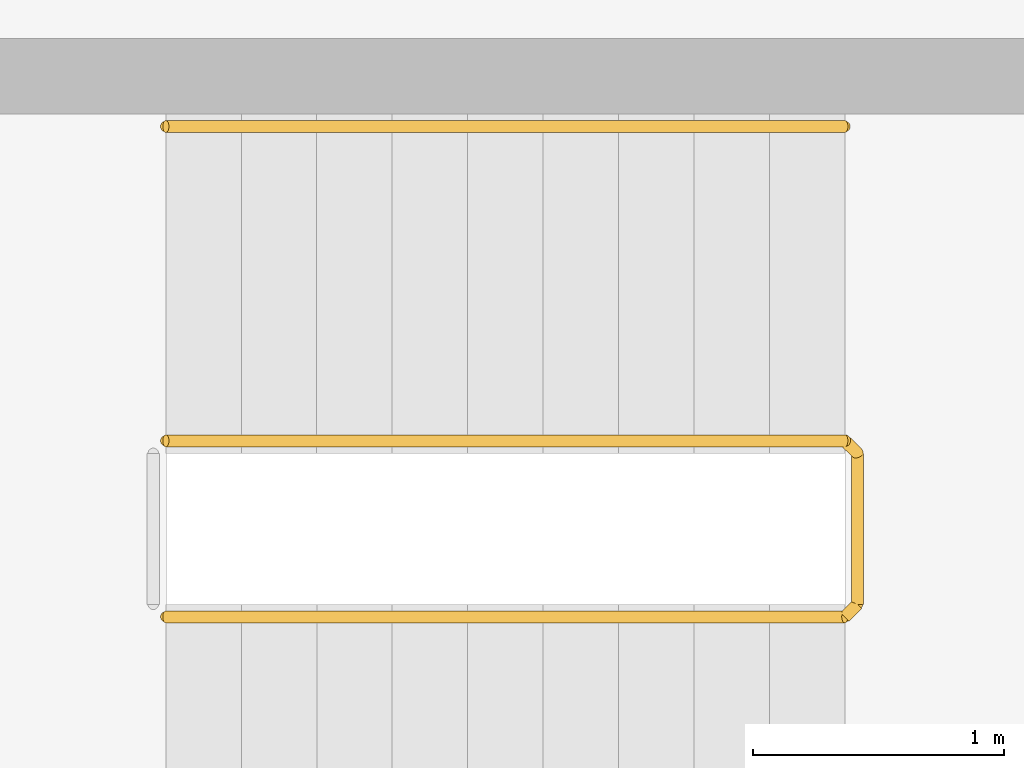
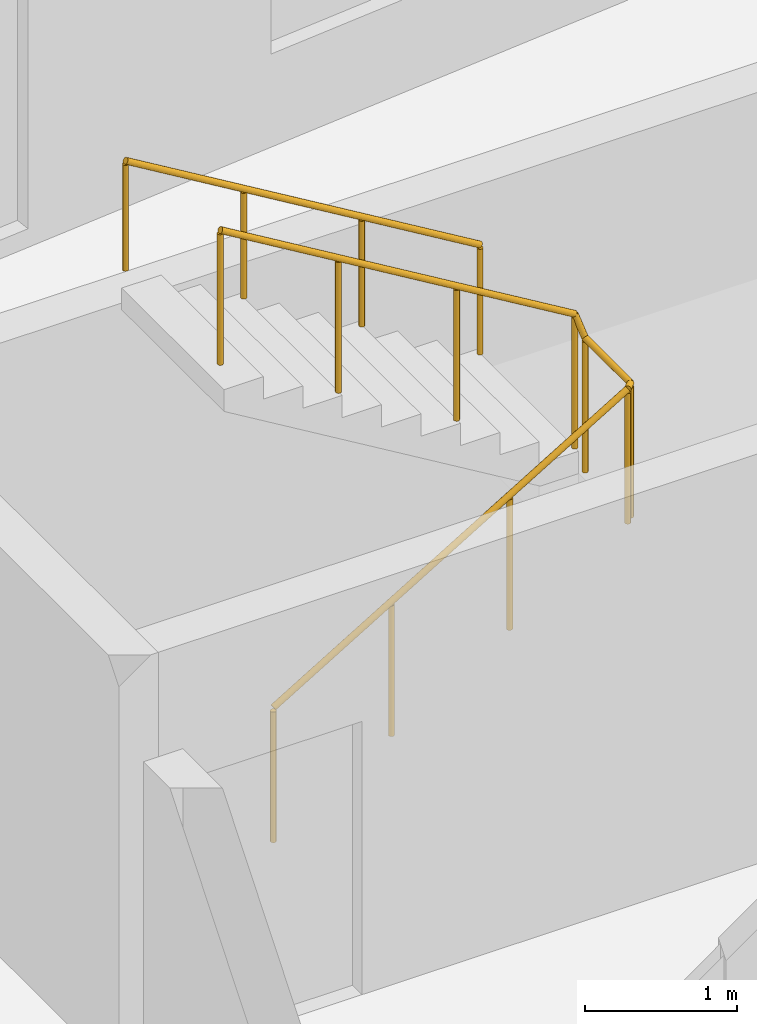
# One storey, part 13 of 13: 2 railings.
"""IFC4 building model written with IfcOpenShell, lengths in metres."""

from ifc_helpers import new_model, si_unit, direction, frame, origin, origin_2d, place, context, subcontext, project, spatial, circle, extrude, material, type_object, element, save


model = new_model("IFC4")

# Units and contexts
model_context = context("Model", 3, precision=1e-05, world=origin(), true_north=direction((0.0, 1.0)))
body_context = subcontext(model_context, "Body", "Model", "MODEL_VIEW")
ifc_project = project(units=[si_unit("LENGTHUNIT", "METRE"), si_unit("AREAUNIT", "SQUARE_METRE"), si_unit("VOLUMEUNIT", "CUBIC_METRE"), si_unit("PLANEANGLEUNIT", "RADIAN"), si_unit("MASSUNIT", "GRAM", prefix="KILO")], contexts=[model_context])

# Site, building, storey
site_placement = place(None, origin())
site = spatial("IfcSite", under=ifc_project, at=site_placement, CompositionType="ELEMENT")
building_placement = place(site_placement, origin())
building = spatial("IfcBuilding", under=site, at=building_placement, Name="Brondeck Convention Tower", CompositionType="ELEMENT")
storey_placement = place(building_placement, frame((0.0, 0.0, 37.5)))
storey = spatial("IfcBuildingStorey", under=building, at=storey_placement, Name="L06", CompositionType="ELEMENT", Elevation=37.5)

# Railings
ifc_material = material(Name="Steel S355", Category="steel")
railing_type_1 = type_object("IfcRailingType", Name="Stair guard 1100", PredefinedType="GUARDRAIL", material=ifc_material)
railing_1_placement = place(storey_placement, frame((37.85009765625, 55.449951171875, 0.179931640625)))
element("IfcRailing", 1, at=railing_1_placement, inside=storey, type_object=railing_type_1, Name="L06 ST-AE stair guard 1", PredefinedType="GUARDRAIL", context=body_context, shape_type="SweptSolid", body=[
    extrude(circle(Radius=0.02392578125, at=origin_2d()), frame((0.0, 0.0, 1.076171875), z_axis=(0.857472400752, 0.0, 0.514529962148), x_axis=(0.0, 1.0, 0.0)), (0.0, 0.0, 1.0), 3.148681640625),
    extrude(circle(Radius=0.02392578125, at=origin_2d()), frame((2.699951171875, 0.0, 2.6962890625), z_axis=(0.707106781187, 0.707106781187, 0.0), x_axis=(-0.707106781187, 0.707106781187, 0.0)), (0.0, 0.0, 1.0), 0.07080078125),
    extrude(circle(Radius=0.02392578125, at=origin_2d()), frame((2.75, 0.050048828125, 2.6962890625), z_axis=(0.0, 1.0, 0.0), x_axis=(-1.0, 0.0, 0.0)), (0.0, 0.0, 1.0), 0.60009765625),
    extrude(circle(Radius=0.02392578125, at=origin_2d()), frame((2.75, 0.650146484375, 2.6962890625), z_axis=(-0.258932105505, 0.257669022063, 0.930892496375), x_axis=(-0.705375805398, -0.708833529934, 0.0)), (0.0, 0.0, 1.0), 0.193359375),
    extrude(circle(Radius=0.02392578125, at=origin_2d()), frame((2.699951171875, 0.699951171875, 2.8759765625), z_axis=(-0.857472400752, 0.0, 0.514529962148), x_axis=(0.0, -1.0, 0.0)), (0.0, 0.0, 1.0), 3.148681640625),
    extrude(circle(Radius=0.02099609375, at=origin_2d()), origin(), (0.0, 0.0, 1.0), 1.052001953125),
    extrude(circle(Radius=0.02099609375, at=origin_2d()), frame((0.89990234375, 0.0, 0.5400390625)), (0.0, 0.0, 1.0), 1.052001953125),
    extrude(circle(Radius=0.02099609375, at=origin_2d()), frame((1.800048828125, 0.0, 1.080078125)), (0.0, 0.0, 1.0), 1.052001953125),
    extrude(circle(Radius=0.02099609375, at=origin_2d()), frame((2.699951171875, 0.0, 1.6201171875)), (0.0, 0.0, 1.0), 1.052001953125),
    extrude(circle(Radius=0.02099609375, at=origin_2d()), frame((2.75, 0.050048828125, 1.6201171875)), (0.0, 0.0, 1.0), 1.052001953125),
    extrude(circle(Radius=0.02099609375, at=origin_2d()), frame((2.75, 0.650146484375, 1.6201171875)), (0.0, 0.0, 1.0), 1.052001953125),
    extrude(circle(Radius=0.02099609375, at=origin_2d()), frame((2.699951171875, 0.699951171875, 1.800048828125)), (0.0, 0.0, 1.0), 1.052001953125),
    extrude(circle(Radius=0.02099609375, at=origin_2d()), frame((1.800048828125, 0.699951171875, 2.340087890625)), (0.0, 0.0, 1.0), 1.052001953125),
    extrude(circle(Radius=0.02099609375, at=origin_2d()), frame((0.89990234375, 0.699951171875, 2.880126953125)), (0.0, 0.0, 1.0), 1.052001953125),
    extrude(circle(Radius=0.02099609375, at=origin_2d()), frame((0.0, 0.699951171875, 3.420166015625)), (0.0, 0.0, 1.0), 1.052001953125),
])
railing_type_2 = type_object("IfcRailingType", Name="Stair handrail", PredefinedType="HANDRAIL", material=ifc_material)
railing_2_placement = place(storey_placement, frame((40.550048828125, 57.39990234375, 1.97998046875)))
element("IfcRailing", 2, at=railing_2_placement, inside=storey, type_object=railing_type_2, Name="L06 ST-AE stair handrail 2", PredefinedType="HANDRAIL", context=body_context, shape_type="SweptSolid", body=[
    extrude(circle(Radius=0.02392578125, at=origin_2d()), frame((0.0, 0.0, 0.8759765625), z_axis=(-0.857472400752, 0.0, 0.514529962148), x_axis=(0.0, -1.0, 0.0)), (0.0, 0.0, 1.0), 3.148681640625),
    extrude(circle(Radius=0.02099609375, at=origin_2d()), origin(), (0.0, 0.0, 1.0), 0.851806640625),
    extrude(circle(Radius=0.02099609375, at=origin_2d()), frame((-0.89990234375, 0.0, 0.5400390625)), (0.0, 0.0, 1.0), 0.851806640625),
    extrude(circle(Radius=0.02099609375, at=origin_2d()), frame((-1.800048828125, 0.0, 1.080078125)), (0.0, 0.0, 1.0), 0.851806640625),
    extrude(circle(Radius=0.02099609375, at=origin_2d()), frame((-2.699951171875, 0.0, 1.6201171875)), (0.0, 0.0, 1.0), 0.851806640625),
])

save(model, "model.ifc")
